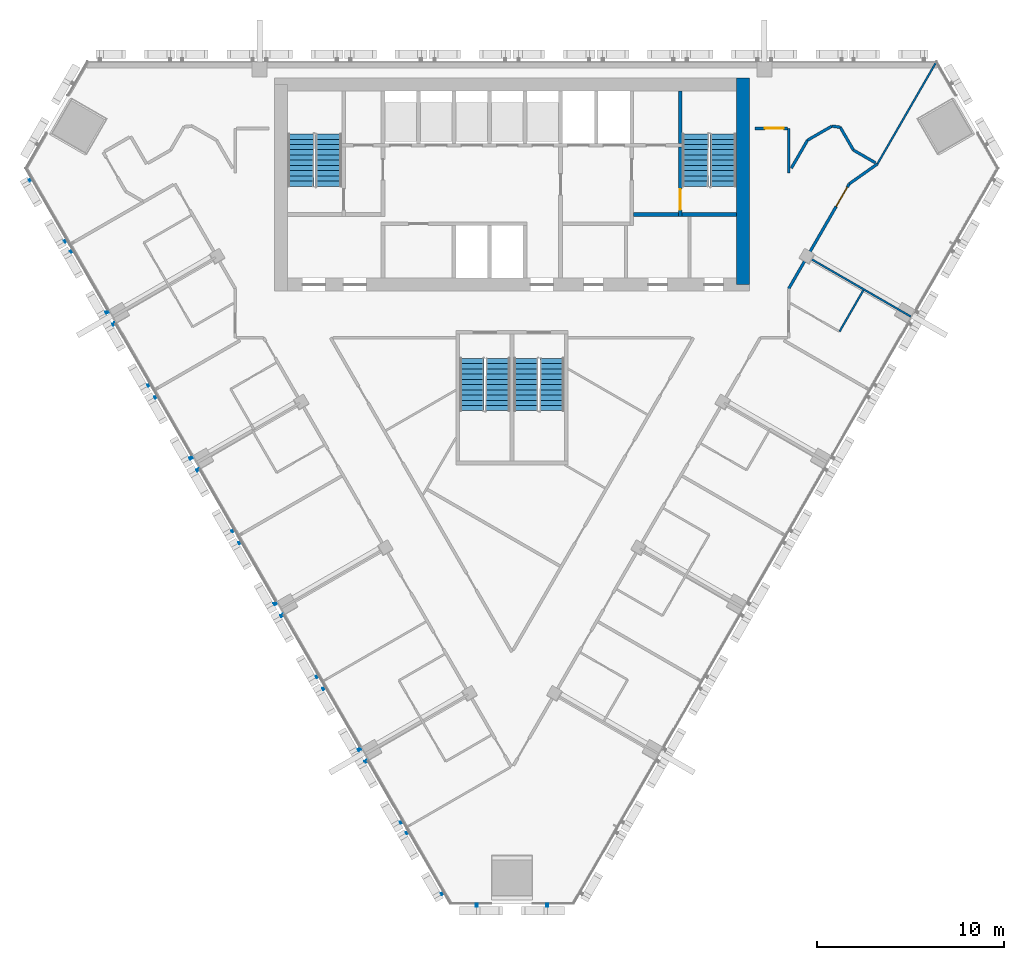
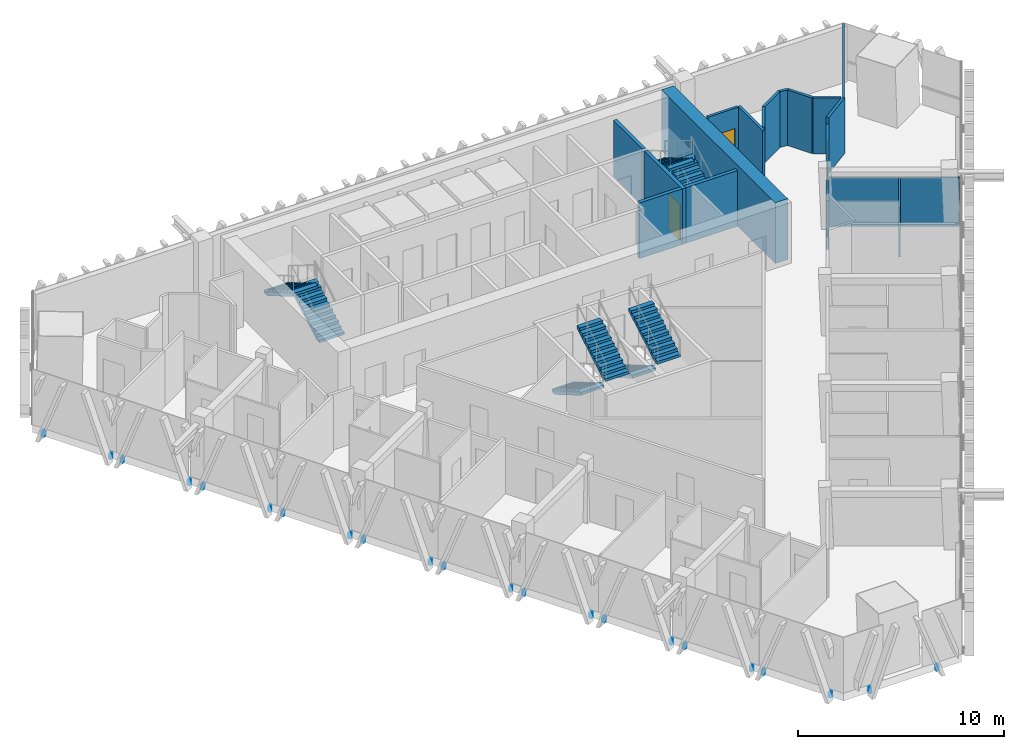
# One storey, part 11 of 15: 17 walls, 8 stair flights, 3 doors, 2 discrete accessories, 3 openings, 4 elements without a shape of their own.
"""IFC4 building model written with IfcOpenShell, lengths in metres."""

from ifc_helpers import new_model, si_unit, direction, frame, frame_2d, origin, place, context, subcontext, project, spatial, polyline, rectangle, outline, extrude, source, transform, mapped, material, layer, layer_set, type_object, element, fill, aggregate, save


model = new_model("IFC4")

# Units and contexts
model_context = context("Model", 3, precision=1e-05, world=origin(), true_north=direction((0.0, 1.0)))
body_context = subcontext(model_context, "Body", "Model", "MODEL_VIEW")
ifc_project = project(units=[si_unit("LENGTHUNIT", "METRE"), si_unit("AREAUNIT", "SQUARE_METRE"), si_unit("VOLUMEUNIT", "CUBIC_METRE"), si_unit("PLANEANGLEUNIT", "RADIAN"), si_unit("MASSUNIT", "GRAM", prefix="KILO")], contexts=[model_context])

# Site, building, storey
site_placement = place(None, origin())
site = spatial("IfcSite", under=ifc_project, at=site_placement, CompositionType="ELEMENT")
building_placement = place(site_placement, origin())
building = spatial("IfcBuilding", under=site, at=building_placement, Name="Altiplano Prism Tower", CompositionType="ELEMENT")
storey_placement = place(building_placement, frame((0.0, 0.0, 185.39990234375)))
storey = spatial("IfcBuildingStorey", under=building, at=storey_placement, Name="L48", CompositionType="ELEMENT", Elevation=185.39990234375)

# Walls
ifc_material_1 = material(Name="Concrete C60/75", Category="concrete")
ifc_layer_1 = layer(ifc_material_1, 0.699951171875)
ifc_layer_set_1 = layer_set([ifc_layer_1], Name="Concrete C60/75")
wall_type_1 = type_object("IfcWallType", Name="Core wall 700", PredefinedType="SHEAR", material=ifc_layer_set_1)
wall_1_placement = place(storey_placement, frame((97.35009765625, 93.050048828125, 0.0), z_axis=(0.0, 0.0, 1.0), x_axis=(0.0, 1.0, 0.0)))
element("IfcWall", 1, at=wall_1_placement, inside=storey, type_object=wall_type_1, Name="Core wall E L48", PredefinedType="SHEAR", context=body_context, shape_type="SweptSolid", body=[
    extrude(rectangle(XDim=11.050048828125, YDim=0.699951171875, at=frame_2d((5.52490234375, 0.0))), origin(), (0.0, 0.0, 1.0), 3.60009765625),
])
ifc_material_2 = material(Name="Plasterboard on steel stud", Category="steel")
ifc_layer_2 = layer(ifc_material_2, 0.10009765625)
ifc_layer_set_2 = layer_set([ifc_layer_2], Name="Plasterboard on steel stud")
wall_type_2 = type_object("IfcWallType", Name="Partition 100 unit", PredefinedType="PARTITIONING", material=ifc_layer_set_2)
wall_2_placement = place(storey_placement, frame((103.7939453125, 92.744140625, 0.0), z_axis=(0.0, 0.0, 1.0), x_axis=(-0.500020783669, -0.866013403995, 0.0)))
element("IfcWall", 2, at=wall_2_placement, inside=storey, type_object=wall_type_2, Name="Partition P02 L48 076", PredefinedType="PARTITIONING", context=body_context, shape_type="SweptSolid", body=[
    extrude(rectangle(XDim=2.55029296875, YDim=0.10009765625, at=frame_2d((1.275146484375, 0.0))), origin(), (0.0, 0.0, 1.0), 2.900146484375),
])
ifc_layer_3 = layer(ifc_material_2, 0.10009765625)
ifc_layer_set_3 = layer_set([ifc_layer_3], Name="Plasterboard on steel stud")
wall_type_3 = type_object("IfcWallType", Name="Partition 100 wet", PredefinedType="PARTITIONING", material=ifc_layer_set_3)
wall_3_placement = place(storey_placement, frame((106.330322265625, 91.33740234375, 0.0), z_axis=(0.0, 0.0, 1.0), x_axis=(-0.866032601554, 0.49998753289, 0.0)))
element("IfcWall", 3, at=wall_3_placement, inside=storey, type_object=wall_type_3, Name="Partition P03 L48 078", PredefinedType="PARTITIONING", context=body_context, shape_type="SweptSolid", body=[
    extrude(rectangle(XDim=6.324951171875, YDim=0.10009765625, at=frame_2d((3.16259765625, 0.0))), origin(), (0.0, 0.0, 1.0), 2.900146484375),
])
wall_4_placement = place(storey_placement, frame((107.662841796875, 104.89990234375, 0.0), z_axis=(0.0, 0.0, 1.0), x_axis=(-0.500004896655, -0.866022576681, 0.0)))
element("IfcWall", 4, at=wall_4_placement, inside=storey, type_object=wall_type_3, Name="Partition P03 L48 079", PredefinedType="PARTITIONING", context=body_context, shape_type="SweptSolid", body=[
    extrude(rectangle(XDim=6.2353515625, YDim=0.10009765625, at=frame_2d((3.11767578125, 0.0))), origin(), (0.0, 0.0, 1.0), 3.300048828125),
])

# Wall, opening, door
ifc_layer_4 = layer(ifc_material_2, 0.14990234375)
ifc_layer_set_4 = layer_set([ifc_layer_4], Name="Plasterboard on steel stud")
wall_type_4 = type_object("IfcWallType", Name="Partition 150 corridor", PredefinedType="PARTITIONING", material=ifc_layer_set_4)
wall_5_placement = place(storey_placement, frame((99.800048828125, 92.826416015625, 0.0), z_axis=(0.0, 0.0, 1.0), x_axis=(0.499991148707, 0.866030514021, 0.0)))
wall_5 = element("IfcWall", 5, at=wall_5_placement, inside=storey, type_object=wall_type_4, Name="Partition P06 L48 013", PredefinedType="PARTITIONING", context=body_context, shape_type="SweptSolid", body=[
    extrude(rectangle(XDim=6.4755859375, YDim=0.14990234375, at=frame_2d((3.23779296875, 0.0))), origin(), (0.0, 0.0, 1.0), 2.900146484375),
])
opening_1_placement = place(wall_5_placement, frame((5.075927734375, 0.0, 0.0)))
opening_1 = element("IfcOpeningElement", 6, at=opening_1_placement, cuts=wall_5, Name="Opening D1719", PredefinedType="OPENING", context=body_context, shape_type="SweptSolid", body=[
    extrude(rectangle(XDim=1.199951171875, YDim=2.10009765625, at=frame_2d((0.60009765625, 1.050048828125))), frame((0.0, 0.08544921875, 0.0), z_axis=(0.0, -1.0, 0.0), x_axis=(1.0, 0.0, 0.0)), (0.0, 0.0, 1.0), 0.1708984375),
])
ifc_material_3 = material(Name="Timber", Category="wood")
door_type_1 = type_object("IfcDoorType", Name="Shared room door 1200 x 2100", OperationType="NOTDEFINED", PredefinedType="NOTDEFINED", material=ifc_material_3)
door_1_placement = place(opening_1_placement, origin())
door_1 = element("IfcDoor", 7, at=door_1_placement, inside=storey, type_object=door_type_1, Name="Door D1719", OperationType="SINGLE_SWING_RIGHT", OverallHeight=2.10009765625, OverallWidth=1.199951171875, PredefinedType="NOTDEFINED", context=body_context, shape_type="SweptSolid", body=[
    extrude(rectangle(XDim=1.199951171875, YDim=2.10009765625, at=frame_2d((0.60009765625, 1.050048828125))), frame((0.0, 0.02490234375, 0.0), z_axis=(0.0, -1.0, 0.0), x_axis=(1.0, 0.0, 0.0)), (0.0, 0.0, 1.0), 0.050048828125),
])
fill(opening_1, door_1)

# Walls
wall_6_placement = place(storey_placement, frame((103.037841796875, 98.4345703125, 0.0), z_axis=(0.0, 0.0, 1.0), x_axis=(0.816601145289, 0.577202364438, 0.0)))
element("IfcWall", 8, at=wall_6_placement, inside=storey, type_object=wall_type_4, Name="Partition P06 L48 014", PredefinedType="PARTITIONING", context=body_context, shape_type="SweptSolid", body=[
    extrude(rectangle(XDim=1.845947265625, YDim=0.14990234375, at=frame_2d((0.9228515625, 0.0))), origin(), (0.0, 0.0, 1.0), 3.300048828125),
])
wall_7_placement = place(storey_placement, frame((104.44384765625, 99.55859375, 0.0), z_axis=(0.0, 0.0, 1.0), x_axis=(-0.866051307416, 0.49995513091, 0.0)))
element("IfcWall", 9, at=wall_7_placement, inside=storey, type_object=wall_type_4, Name="Partition P06 L48 015", PredefinedType="PARTITIONING", context=body_context, shape_type="SweptSolid", body=[
    extrude(rectangle(XDim=1.362548828125, YDim=0.14990234375, at=frame_2d((0.68115234375, 0.0))), origin(), (0.0, 0.0, 1.0), 3.300048828125),
])
wall_8_placement = place(storey_placement, frame((103.263916015625, 100.23974609375, 0.0), z_axis=(0.0, 0.0, 1.0), x_axis=(-0.499951990857, 0.866053120102, 0.0)))
element("IfcWall", 10, at=wall_8_placement, inside=storey, type_object=wall_type_4, Name="Partition P06 L48 016", PredefinedType="PARTITIONING", context=body_context, shape_type="SweptSolid", body=[
    extrude(rectangle(XDim=1.411865234375, YDim=0.14990234375, at=frame_2d((0.7060546875, 0.0))), origin(), (0.0, 0.0, 1.0), 3.300048828125),
])
wall_9_placement = place(storey_placement, frame((102.55810546875, 101.46240234375, 0.0), z_axis=(0.0, 0.0, 1.0), x_axis=(-0.991104626239, 0.133085009855, 0.0)))
element("IfcWall", 11, at=wall_9_placement, inside=storey, type_object=wall_type_4, Name="Partition P06 L48 017", PredefinedType="PARTITIONING", context=body_context, shape_type="SweptSolid", body=[
    extrude(rectangle(XDim=0.451171875, YDim=0.14990234375, at=frame_2d((0.2255859375, 0.0))), origin(), (0.0, 0.0, 1.0), 3.300048828125),
])
wall_10_placement = place(storey_placement, frame((102.11083984375, 101.5224609375, 0.0), z_axis=(0.0, 0.0, 1.0), x_axis=(-0.866010137527, -0.500026441001, 0.0)))
element("IfcWall", 12, at=wall_10_placement, inside=storey, type_object=wall_type_4, Name="Partition P06 L48 018", PredefinedType="PARTITIONING", context=body_context, shape_type="SweptSolid", body=[
    extrude(rectangle(XDim=1.50634765625, YDim=0.14990234375, at=frame_2d((0.753173828125, 0.0))), origin(), (0.0, 0.0, 1.0), 3.300048828125),
])
wall_11_placement = place(storey_placement, frame((100.806396484375, 100.769287109375, 0.0), z_axis=(0.0, 0.0, 1.0), x_axis=(-0.500063959222, -0.865988473761, 0.0)))
element("IfcWall", 13, at=wall_11_placement, inside=storey, type_object=wall_type_4, Name="Partition P06 L48 019", PredefinedType="PARTITIONING", context=body_context, shape_type="SweptSolid", body=[
    extrude(rectangle(XDim=1.732666015625, YDim=0.14990234375, at=frame_2d((0.8662109375, 0.0))), origin(), (0.0, 0.0, 1.0), 3.300048828125),
])
wall_12_placement = place(storey_placement, frame((99.800048828125, 99.0263671875, 0.0), z_axis=(0.0, 0.0, 1.0), x_axis=(0.0, 1.0, 0.0)))
element("IfcWall", 14, at=wall_12_placement, inside=storey, type_object=wall_type_4, Name="Partition P06 L48 020", PredefinedType="PARTITIONING", context=body_context, shape_type="SweptSolid", body=[
    extrude(rectangle(XDim=2.37353515625, YDim=0.14990234375, at=frame_2d((1.186767578125, 0.0))), origin(), (0.0, 0.0, 1.0), 3.300048828125),
])

# Wall, opening, door
wall_13_placement = place(storey_placement, frame((99.72509765625, 101.39990234375, 0.0), z_axis=(0.0, 0.0, 1.0), x_axis=(-1.0, 0.0, 0.0)))
wall_13 = element("IfcWall", 15, at=wall_13_placement, inside=storey, type_object=wall_type_4, Name="Partition P06 L48 021", PredefinedType="PARTITIONING", context=body_context, shape_type="SweptSolid", body=[
    extrude(rectangle(XDim=1.72509765625, YDim=0.14990234375, at=frame_2d((0.862548828125, 0.0))), origin(), (0.0, 0.0, 1.0), 3.300048828125),
])
opening_2_placement = place(wall_13_placement, frame((0.199951171875, 0.0, 0.0)))
opening_2 = element("IfcOpeningElement", 16, at=opening_2_placement, cuts=wall_13, Name="Opening D1720", PredefinedType="OPENING", context=body_context, shape_type="SweptSolid", body=[
    extrude(rectangle(XDim=1.0, YDim=2.10009765625, at=frame_2d((0.5, 1.050048828125))), frame((0.0, 0.08544921875, 0.0), z_axis=(0.0, -1.0, 0.0), x_axis=(1.0, 0.0, 0.0)), (0.0, 0.0, 1.0), 0.1708984375),
])
door_type_2 = type_object("IfcDoorType", Name="Store door 1000 x 2100", OperationType="NOTDEFINED", PredefinedType="NOTDEFINED", material=ifc_material_3)
door_2_placement = place(opening_2_placement, origin())
door_2 = element("IfcDoor", 17, at=door_2_placement, inside=storey, type_object=door_type_2, Name="Door D1720", OperationType="SINGLE_SWING_RIGHT", OverallHeight=2.10009765625, OverallWidth=1.0, PredefinedType="NOTDEFINED", context=body_context, shape_type="SweptSolid", body=[
    extrude(rectangle(XDim=1.0, YDim=2.10009765625, at=frame_2d((0.5, 1.050048828125))), frame((0.0, 0.02490234375, 0.0), z_axis=(0.0, -1.0, 0.0), x_axis=(1.0, 0.0, 0.0)), (0.0, 0.0, 1.0), 0.050048828125),
])
fill(opening_2, door_2)

ifc_layer_5 = layer(ifc_material_1, 0.199951171875)
ifc_layer_set_5 = layer_set([ifc_layer_5], Name="Concrete C60/75")
wall_type_5 = type_object("IfcWallType", Name="Stair wall 200", PredefinedType="SOLIDWALL", material=ifc_layer_set_5)
wall_14_placement = place(storey_placement, frame((94.0, 96.699951171875, 0.0), z_axis=(0.0, 0.0, 1.0), x_axis=(0.0, 1.0, 0.0)))
wall_14 = element("IfcWall", 18, at=wall_14_placement, inside=storey, type_object=wall_type_5, Name="Stair wall L48", PredefinedType="SOLIDWALL", context=body_context, shape_type="SweptSolid", body=[
    extrude(rectangle(XDim=3.699951171875, YDim=0.199951171875, at=frame_2d((1.85009765625, 0.0))), origin(), (0.0, 0.0, 1.0), 3.300048828125),
])
opening_3_placement = place(wall_14_placement, frame((0.35009765625, 0.0, 0.0)))
opening_3 = element("IfcOpeningElement", 19, at=opening_3_placement, cuts=wall_14, Name="Opening D3242", PredefinedType="OPENING", context=body_context, shape_type="SweptSolid", body=[
    extrude(rectangle(XDim=1.10009765625, YDim=2.10009765625, at=frame_2d((0.550048828125, 1.050048828125))), frame((0.0, 0.1103515625, 0.0), z_axis=(0.0, -1.0, 0.0), x_axis=(1.0, 0.0, 0.0)), (0.0, 0.0, 1.0), 0.220947265625),
])
ifc_material_4 = material(Name="Fire-rated steel door", Category="steel")
door_type_3 = type_object("IfcDoorType", Name="Stair fire door 1100 x 2100", OperationType="NOTDEFINED", PredefinedType="NOTDEFINED", material=ifc_material_4)
door_3_placement = place(opening_3_placement, origin())
door_3 = element("IfcDoor", 20, at=door_3_placement, inside=storey, type_object=door_type_3, Name="Stair fire door D3242", OperationType="SINGLE_SWING_LEFT", OverallHeight=2.10009765625, OverallWidth=1.10009765625, PredefinedType="NOTDEFINED", context=body_context, shape_type="SweptSolid", body=[
    extrude(rectangle(XDim=1.10009765625, YDim=2.10009765625, at=frame_2d((0.550048828125, 1.050048828125))), frame((0.0, 0.02490234375, 0.0), z_axis=(0.0, -1.0, 0.0), x_axis=(1.0, 0.0, 0.0)), (0.0, 0.0, 1.0), 0.050048828125),
])
fill(opening_3, door_3)

# Walls
wall_15_placement = place(storey_placement, frame((94.10009765625, 96.800048828125, 0.0), z_axis=(0.0, 0.0, 1.0), x_axis=(1.0, 0.0, 0.0)))
element("IfcWall", 21, at=wall_15_placement, inside=storey, type_object=wall_type_5, Name="Stair wall L48", PredefinedType="SOLIDWALL", context=body_context, shape_type="SweptSolid", body=[
    extrude(rectangle(XDim=2.89990234375, YDim=0.199951171875, at=frame_2d((1.449951171875, 0.0))), origin(), (0.0, 0.0, 1.0), 3.300048828125),
])
wall_16_placement = place(storey_placement, frame((94.0, 100.60009765625, 0.0), z_axis=(0.0, 0.0, 1.0), x_axis=(0.0, 1.0, 0.0)))
element("IfcWall", 22, at=wall_16_placement, inside=storey, type_object=wall_type_5, Name="Stair wall L48", PredefinedType="SOLIDWALL", context=body_context, shape_type="SweptSolid", body=[
    extrude(rectangle(XDim=2.7998046875, YDim=0.199951171875, at=frame_2d((1.39990234375, 0.0))), origin(), (0.0, 0.0, 1.0), 3.300048828125),
])
ifc_layer_6 = layer(ifc_material_1, 0.199951171875)
ifc_layer_set_6 = layer_set([ifc_layer_6], Name="Concrete C60/75")
wall_type_6 = type_object("IfcWallType", Name="Vestibule wall 200", PredefinedType="PARTITIONING", material=ifc_layer_set_6)
wall_17_placement = place(storey_placement, frame((91.5, 96.800048828125, 0.0), z_axis=(0.0, 0.0, 1.0), x_axis=(1.0, 0.0, 0.0)))
element("IfcWall", 23, at=wall_17_placement, inside=storey, type_object=wall_type_6, Name="Vestibule wall L48", PredefinedType="PARTITIONING", context=body_context, shape_type="SweptSolid", body=[
    extrude(rectangle(XDim=2.39990234375, YDim=0.199951171875, at=frame_2d((1.199951171875, 0.0))), origin(), (0.0, 0.0, 1.0), 3.300048828125),
])

# Stair, stair flights
ifc_material_5 = material(Name="Concrete C40/50", Category="concrete")
stair_type_1 = type_object("IfcStairType", Name="Exit stair 1400", PredefinedType="HALF_TURN_STAIR", material=ifc_material_5)
stair_1_placement = place(storey_placement, origin())
stair_1 = element("IfcStair", 24, at=stair_1_placement, inside=storey, type_object=stair_type_1, Name="L48 Exit Stair 1", PredefinedType="HALF_TURN_STAIR")
stair_flight_type = type_object("IfcStairFlightType", Name="Stair flight concrete 150", PredefinedType="STRAIGHT", material=ifc_material_5)
stair_flight_1_placement = place(storey_placement, frame((75.199951171875, 98.300048828125, 0.0), z_axis=(0.0, 0.0, 1.0), x_axis=(0.0, 1.0, 0.0)))
stair_flight_1 = element("IfcStairFlight", 25, at=stair_flight_1_placement, type_object=stair_flight_type, Name="ST1 flight 1", NumberOfRisers=11, NumberOfTreads=10, PredefinedType="STRAIGHT", RiserHeight=0.163636364, TreadLength=0.28, context=body_context, shape_type="SweptSolid", body=[
    extrude(outline(polyline([(0.0, 0.0), (0.0, 0.16357421875), (0.280029296875, 0.16357421875), (0.280029296875, 0.327392578125), (0.56005859375, 0.327392578125), (0.56005859375, 0.490966796875), (0.840087890625, 0.490966796875), (0.840087890625, 0.654541015625), (1.1201171875, 0.654541015625), (1.1201171875, 0.818115234375), (1.39990234375, 0.818115234375), (1.39990234375, 0.98193359375), (1.679931640625, 0.98193359375), (1.679931640625, 1.1455078125), (1.9599609375, 1.1455078125), (1.9599609375, 1.30908203125), (2.239990234375, 1.30908203125), (2.239990234375, 1.47265625), (2.52001953125, 1.47265625), (2.52001953125, 1.636474609375), (2.800048828125, 1.636474609375), (2.800048828125, 1.800048828125), (2.800048828125, 1.462646484375), (0.297119140625, 0.0), (0.0, 0.0)])), frame((0.0, 0.699951171875, 0.0), z_axis=(0.0, -1.0, 0.0), x_axis=(1.0, 0.0, 0.0)), (0.0, 0.0, 1.0), 1.39990234375),
])
stair_flight_2_placement = place(storey_placement, frame((73.699951171875, 101.10009765625, 1.800048828125), z_axis=(0.0, 0.0, 1.0), x_axis=(0.0, -1.0, 0.0)))
stair_flight_2 = element("IfcStairFlight", 26, at=stair_flight_2_placement, type_object=stair_flight_type, Name="ST1 flight 2", NumberOfRisers=11, NumberOfTreads=10, PredefinedType="STRAIGHT", RiserHeight=0.163636364, TreadLength=0.28, context=body_context, shape_type="SweptSolid", body=[
    extrude(outline(polyline([(0.0, 0.0), (0.0, 0.16357421875), (0.280029296875, 0.16357421875), (0.280029296875, 0.327392578125), (0.56005859375, 0.327392578125), (0.56005859375, 0.490966796875), (0.840087890625, 0.490966796875), (0.840087890625, 0.654541015625), (1.1201171875, 0.654541015625), (1.1201171875, 0.818115234375), (1.39990234375, 0.818115234375), (1.39990234375, 0.98193359375), (1.679931640625, 0.98193359375), (1.679931640625, 1.1455078125), (1.9599609375, 1.1455078125), (1.9599609375, 1.30908203125), (2.239990234375, 1.30908203125), (2.239990234375, 1.47265625), (2.52001953125, 1.47265625), (2.52001953125, 1.636474609375), (2.800048828125, 1.636474609375), (2.800048828125, 1.800048828125), (2.800048828125, 1.462646484375), (0.297119140625, 0.0), (0.0, 0.0)])), frame((0.0, 0.699951171875, 0.0), z_axis=(0.0, -1.0, 0.0), x_axis=(1.0, 0.0, 0.0)), (0.0, 0.0, 1.0), 1.39990234375),
])
aggregate(stair_1, [stair_flight_1, stair_flight_2])

stair_2_placement = place(storey_placement, origin())
stair_2 = element("IfcStair", 27, at=stair_2_placement, inside=storey, type_object=stair_type_1, Name="L48 Exit Stair 2", PredefinedType="HALF_TURN_STAIR")
stair_flight_3_placement = place(storey_placement, frame((96.300048828125, 98.300048828125, 0.0), z_axis=(0.0, 0.0, 1.0), x_axis=(0.0, 1.0, 0.0)))
stair_flight_3 = element("IfcStairFlight", 28, at=stair_flight_3_placement, type_object=stair_flight_type, Name="ST2 flight 1", NumberOfRisers=11, NumberOfTreads=10, PredefinedType="STRAIGHT", RiserHeight=0.163636364, TreadLength=0.28, context=body_context, shape_type="SweptSolid", body=[
    extrude(outline(polyline([(0.0, 0.0), (0.0, 0.16357421875), (0.280029296875, 0.16357421875), (0.280029296875, 0.327392578125), (0.56005859375, 0.327392578125), (0.56005859375, 0.490966796875), (0.840087890625, 0.490966796875), (0.840087890625, 0.654541015625), (1.1201171875, 0.654541015625), (1.1201171875, 0.818115234375), (1.39990234375, 0.818115234375), (1.39990234375, 0.98193359375), (1.679931640625, 0.98193359375), (1.679931640625, 1.1455078125), (1.9599609375, 1.1455078125), (1.9599609375, 1.30908203125), (2.239990234375, 1.30908203125), (2.239990234375, 1.47265625), (2.52001953125, 1.47265625), (2.52001953125, 1.636474609375), (2.800048828125, 1.636474609375), (2.800048828125, 1.800048828125), (2.800048828125, 1.462646484375), (0.297119140625, 0.0), (0.0, 0.0)])), frame((0.0, 0.699951171875, 0.0), z_axis=(0.0, -1.0, 0.0), x_axis=(1.0, 0.0, 0.0)), (0.0, 0.0, 1.0), 1.39990234375),
])
stair_flight_4_placement = place(storey_placement, frame((94.800048828125, 101.10009765625, 1.800048828125), z_axis=(0.0, 0.0, 1.0), x_axis=(0.0, -1.0, 0.0)))
stair_flight_4 = element("IfcStairFlight", 29, at=stair_flight_4_placement, type_object=stair_flight_type, Name="ST2 flight 2", NumberOfRisers=11, NumberOfTreads=10, PredefinedType="STRAIGHT", RiserHeight=0.163636364, TreadLength=0.28, context=body_context, shape_type="SweptSolid", body=[
    extrude(outline(polyline([(0.0, 0.0), (0.0, 0.16357421875), (0.280029296875, 0.16357421875), (0.280029296875, 0.327392578125), (0.56005859375, 0.327392578125), (0.56005859375, 0.490966796875), (0.840087890625, 0.490966796875), (0.840087890625, 0.654541015625), (1.1201171875, 0.654541015625), (1.1201171875, 0.818115234375), (1.39990234375, 0.818115234375), (1.39990234375, 0.98193359375), (1.679931640625, 0.98193359375), (1.679931640625, 1.1455078125), (1.9599609375, 1.1455078125), (1.9599609375, 1.30908203125), (2.239990234375, 1.30908203125), (2.239990234375, 1.47265625), (2.52001953125, 1.47265625), (2.52001953125, 1.636474609375), (2.800048828125, 1.636474609375), (2.800048828125, 1.800048828125), (2.800048828125, 1.462646484375), (0.297119140625, 0.0), (0.0, 0.0)])), frame((0.0, 0.699951171875, 0.0), z_axis=(0.0, -1.0, 0.0), x_axis=(1.0, 0.0, 0.0)), (0.0, 0.0, 1.0), 1.39990234375),
])
aggregate(stair_2, [stair_flight_3, stair_flight_4])

stair_type_2 = type_object("IfcStairType", Name="Exit stair 1300", PredefinedType="HALF_TURN_STAIR", material=ifc_material_5)
stair_3_placement = place(storey_placement, origin())
stair_3 = element("IfcStair", 30, at=stair_3_placement, inside=storey, type_object=stair_type_2, Name="L48 Exit Stair 3A", PredefinedType="HALF_TURN_STAIR")
stair_flight_5_placement = place(storey_placement, frame((82.85009765625, 89.10009765625, 0.0), z_axis=(0.0, 0.0, 1.0), x_axis=(0.0, -1.0, 0.0)))
stair_flight_5 = element("IfcStairFlight", 31, at=stair_flight_5_placement, type_object=stair_flight_type, Name="ST3A flight 1", NumberOfRisers=11, NumberOfTreads=10, PredefinedType="STRAIGHT", RiserHeight=0.163636364, TreadLength=0.28, context=body_context, shape_type="SweptSolid", body=[
    extrude(outline(polyline([(0.0, 0.0), (0.0, 0.16357421875), (0.280029296875, 0.16357421875), (0.280029296875, 0.327392578125), (0.56005859375, 0.327392578125), (0.56005859375, 0.490966796875), (0.840087890625, 0.490966796875), (0.840087890625, 0.654541015625), (1.1201171875, 0.654541015625), (1.1201171875, 0.818115234375), (1.39990234375, 0.818115234375), (1.39990234375, 0.98193359375), (1.679931640625, 0.98193359375), (1.679931640625, 1.1455078125), (1.9599609375, 1.1455078125), (1.9599609375, 1.30908203125), (2.239990234375, 1.30908203125), (2.239990234375, 1.47265625), (2.52001953125, 1.47265625), (2.52001953125, 1.636474609375), (2.800048828125, 1.636474609375), (2.800048828125, 1.800048828125), (2.800048828125, 1.462646484375), (0.297119140625, 0.0), (0.0, 0.0)])), frame((0.0, 0.64990234375, 0.0), z_axis=(0.0, -1.0, 0.0), x_axis=(1.0, 0.0, 0.0)), (0.0, 0.0, 1.0), 1.300048828125),
])
stair_flight_6_placement = place(storey_placement, frame((84.25, 86.300048828125, 1.800048828125), z_axis=(0.0, 0.0, 1.0), x_axis=(0.0, 1.0, 0.0)))
stair_flight_6 = element("IfcStairFlight", 32, at=stair_flight_6_placement, type_object=stair_flight_type, Name="ST3A flight 2", NumberOfRisers=11, NumberOfTreads=10, PredefinedType="STRAIGHT", RiserHeight=0.163636364, TreadLength=0.28, context=body_context, shape_type="SweptSolid", body=[
    extrude(outline(polyline([(0.0, 0.0), (0.0, 0.16357421875), (0.280029296875, 0.16357421875), (0.280029296875, 0.327392578125), (0.56005859375, 0.327392578125), (0.56005859375, 0.490966796875), (0.840087890625, 0.490966796875), (0.840087890625, 0.654541015625), (1.1201171875, 0.654541015625), (1.1201171875, 0.818115234375), (1.39990234375, 0.818115234375), (1.39990234375, 0.98193359375), (1.679931640625, 0.98193359375), (1.679931640625, 1.1455078125), (1.9599609375, 1.1455078125), (1.9599609375, 1.30908203125), (2.239990234375, 1.30908203125), (2.239990234375, 1.47265625), (2.52001953125, 1.47265625), (2.52001953125, 1.636474609375), (2.800048828125, 1.636474609375), (2.800048828125, 1.800048828125), (2.800048828125, 1.462646484375), (0.297119140625, 0.0), (0.0, 0.0)])), frame((0.0, 0.64990234375, 0.0), z_axis=(0.0, -1.0, 0.0), x_axis=(1.0, 0.0, 0.0)), (0.0, 0.0, 1.0), 1.300048828125),
])
aggregate(stair_3, [stair_flight_5, stair_flight_6])

stair_4_placement = place(storey_placement, origin())
stair_4 = element("IfcStair", 33, at=stair_4_placement, inside=storey, type_object=stair_type_2, Name="L48 Exit Stair 3B", PredefinedType="HALF_TURN_STAIR")
stair_flight_7_placement = place(storey_placement, frame((85.75, 89.10009765625, 0.0), z_axis=(0.0, 0.0, 1.0), x_axis=(0.0, -1.0, 0.0)))
stair_flight_7 = element("IfcStairFlight", 34, at=stair_flight_7_placement, type_object=stair_flight_type, Name="ST3B flight 1", NumberOfRisers=11, NumberOfTreads=10, PredefinedType="STRAIGHT", RiserHeight=0.163636364, TreadLength=0.28, context=body_context, shape_type="SweptSolid", body=[
    extrude(outline(polyline([(0.0, 0.0), (0.0, 0.16357421875), (0.280029296875, 0.16357421875), (0.280029296875, 0.327392578125), (0.56005859375, 0.327392578125), (0.56005859375, 0.490966796875), (0.840087890625, 0.490966796875), (0.840087890625, 0.654541015625), (1.1201171875, 0.654541015625), (1.1201171875, 0.818115234375), (1.39990234375, 0.818115234375), (1.39990234375, 0.98193359375), (1.679931640625, 0.98193359375), (1.679931640625, 1.1455078125), (1.9599609375, 1.1455078125), (1.9599609375, 1.30908203125), (2.239990234375, 1.30908203125), (2.239990234375, 1.47265625), (2.52001953125, 1.47265625), (2.52001953125, 1.636474609375), (2.800048828125, 1.636474609375), (2.800048828125, 1.800048828125), (2.800048828125, 1.462646484375), (0.297119140625, 0.0), (0.0, 0.0)])), frame((0.0, 0.64990234375, 0.0), z_axis=(0.0, -1.0, 0.0), x_axis=(1.0, 0.0, 0.0)), (0.0, 0.0, 1.0), 1.300048828125),
])
stair_flight_8_placement = place(storey_placement, frame((87.14990234375, 86.300048828125, 1.800048828125), z_axis=(0.0, 0.0, 1.0), x_axis=(0.0, 1.0, 0.0)))
stair_flight_8 = element("IfcStairFlight", 35, at=stair_flight_8_placement, type_object=stair_flight_type, Name="ST3B flight 2", NumberOfRisers=11, NumberOfTreads=10, PredefinedType="STRAIGHT", RiserHeight=0.163636364, TreadLength=0.28, context=body_context, shape_type="SweptSolid", body=[
    extrude(outline(polyline([(0.0, 0.0), (0.0, 0.16357421875), (0.280029296875, 0.16357421875), (0.280029296875, 0.327392578125), (0.56005859375, 0.327392578125), (0.56005859375, 0.490966796875), (0.840087890625, 0.490966796875), (0.840087890625, 0.654541015625), (1.1201171875, 0.654541015625), (1.1201171875, 0.818115234375), (1.39990234375, 0.818115234375), (1.39990234375, 0.98193359375), (1.679931640625, 0.98193359375), (1.679931640625, 1.1455078125), (1.9599609375, 1.1455078125), (1.9599609375, 1.30908203125), (2.239990234375, 1.30908203125), (2.239990234375, 1.47265625), (2.52001953125, 1.47265625), (2.52001953125, 1.636474609375), (2.800048828125, 1.636474609375), (2.800048828125, 1.800048828125), (2.800048828125, 1.462646484375), (0.297119140625, 0.0), (0.0, 0.0)])), frame((0.0, 0.64990234375, 0.0), z_axis=(0.0, -1.0, 0.0), x_axis=(1.0, 0.0, 0.0)), (0.0, 0.0, 1.0), 1.300048828125),
])
aggregate(stair_4, [stair_flight_7, stair_flight_8])

# Discrete accessories
ifc_material_6 = material(Name="Stainless steel", Category="steel")
discrete_accessory_type = type_object("IfcDiscreteAccessoryType", Name="Stone fin fixing prongs", PredefinedType="USERDEFINED", material=ifc_material_6)
shared_shape_1 = source(origin(), body_context, "Body", "SweptSolid", [
    extrude(outline(polyline([(-1.943115234375, 0.06005859375), (-1.822998046875, 0.06005859375), (-1.822998046875, 0.389892578125), (-1.943115234375, 0.389892578125), (-1.943115234375, 0.06005859375)])), frame((0.0, 0.0, 0.0), z_axis=(0.0, -1.0, 0.0), x_axis=(1.0, 0.0, 0.0)), (0.0, 0.0, 1.0), 0.14990234375),
    extrude(outline(polyline([(1.822998046875, 0.06005859375), (1.943115234375, 0.06005859375), (1.943115234375, 0.389892578125), (1.822998046875, 0.389892578125), (1.822998046875, 0.06005859375)])), frame((0.0, 0.0, 0.0), z_axis=(0.0, -1.0, 0.0), x_axis=(1.0, 0.0, 0.0)), (0.0, 0.0, 1.0), 0.14990234375),
])
shared_shape_2 = source(origin(), body_context, "Body", "SweptSolid", [
    extrude(outline(polyline([(-1.943115234375, 0.06005859375), (-1.822998046875, 0.06005859375), (-1.822998046875, 0.389892578125), (-1.943115234375, 0.389892578125), (-1.943115234375, 0.06005859375)])), frame((0.0, 0.0, 0.0), z_axis=(0.0, -1.0, 0.0), x_axis=(1.0, 0.0, 0.0)), (0.0, 0.0, 1.0), 0.14990234375),
    extrude(outline(polyline([(1.822998046875, 0.06005859375), (1.943115234375, 0.06005859375), (1.943115234375, 0.389892578125), (1.822998046875, 0.389892578125), (1.822998046875, 0.06005859375)])), frame((0.0, 0.0, 0.0), z_axis=(0.0, -1.0, 0.0), x_axis=(1.0, 0.0, 0.0)), (0.0, 0.0, 1.0), 0.14990234375),
])
discrete_accessory_1_placement = place(storey_placement, origin())
element("IfcDiscreteAccessory", 36, at=discrete_accessory_1_placement, inside=storey, type_object=discrete_accessory_type, Name="Fin fixings L48 south-west face", ObjectType="BRACKET", PredefinedType="USERDEFINED", context=body_context, shape_type="MappedRepresentation", body=[
    mapped(shared_shape_1, transform((60.2529296875, 97.055419921875, -0.449951171875), x_axis=(0.499999992925, -0.866025407869, 0.0), y_axis=(0.866025407869, 0.499999992925, 0.0), z_axis=(0.0, 0.0, 1.0))),
    mapped(shared_shape_2, transform((62.4580078125, 93.23583984375, -0.449951171875), x_axis=(0.499999992925, -0.866025407869, 0.0), y_axis=(0.866025407869, 0.499999992925, 0.0), z_axis=(0.0, 0.0, 1.0))),
    mapped(shared_shape_2, transform((64.7080078125, 89.3388671875, -0.449951171875), x_axis=(0.499999992925, -0.866025407869, 0.0), y_axis=(0.866025407869, 0.499999992925, 0.0), z_axis=(0.0, 0.0, 1.0))),
    mapped(shared_shape_2, transform((66.9580078125, 85.441650390625, -0.449951171875), x_axis=(0.499999992925, -0.866025407869, 0.0), y_axis=(0.866025407869, 0.499999992925, 0.0), z_axis=(0.0, 0.0, 1.0))),
    mapped(shared_shape_2, transform((69.2080078125, 81.544677734375, -0.449951171875), x_axis=(0.499999992925, -0.866025407869, 0.0), y_axis=(0.866025407869, 0.499999992925, 0.0), z_axis=(0.0, 0.0, 1.0))),
    mapped(shared_shape_2, transform((71.4580078125, 77.6474609375, -0.449951171875), x_axis=(0.499999992925, -0.866025407869, 0.0), y_axis=(0.866025407869, 0.499999992925, 0.0), z_axis=(0.0, 0.0, 1.0))),
    mapped(shared_shape_2, transform((73.7080078125, 73.750244140625, -0.449951171875), x_axis=(0.499999992925, -0.866025407869, 0.0), y_axis=(0.866025407869, 0.499999992925, 0.0), z_axis=(0.0, 0.0, 1.0))),
    mapped(shared_shape_2, transform((75.9580078125, 69.853271484375, -0.449951171875), x_axis=(0.499999992925, -0.866025407869, 0.0), y_axis=(0.866025407869, 0.499999992925, 0.0), z_axis=(0.0, 0.0, 1.0))),
    mapped(shared_shape_2, transform((78.2080078125, 65.9560546875, -0.449951171875), x_axis=(0.499999992925, -0.866025407869, 0.0), y_axis=(0.866025407869, 0.499999992925, 0.0), z_axis=(0.0, 0.0, 1.0))),
    mapped(shared_shape_1, transform((80.4130859375, 62.13671875, -0.449951171875), x_axis=(0.499999992925, -0.866025407869, 0.0), y_axis=(0.866025407869, 0.499999992925, 0.0), z_axis=(0.0, 0.0, 1.0))),
])
shared_shape_3 = source(origin(), body_context, "Body", "SweptSolid", [
    extrude(outline(polyline([(-1.943115234375, 0.06005859375), (-1.822998046875, 0.06005859375), (-1.822998046875, 0.389892578125), (-1.943115234375, 0.389892578125), (-1.943115234375, 0.06005859375)])), frame((0.0, 0.0, 0.0), z_axis=(0.0, -1.0, 0.0), x_axis=(1.0, 0.0, 0.0)), (0.0, 0.0, 1.0), 0.14990234375),
    extrude(outline(polyline([(1.822998046875, 0.06005859375), (1.943115234375, 0.06005859375), (1.943115234375, 0.389892578125), (1.822998046875, 0.389892578125), (1.822998046875, 0.06005859375)])), frame((0.0, 0.0, 0.0), z_axis=(0.0, -1.0, 0.0), x_axis=(1.0, 0.0, 0.0)), (0.0, 0.0, 1.0), 0.14990234375),
])
discrete_accessory_2_placement = place(storey_placement, origin())
element("IfcDiscreteAccessory", 37, at=discrete_accessory_2_placement, inside=storey, type_object=discrete_accessory_type, Name="Fin fixings L48 south chamfer", ObjectType="BRACKET", PredefinedType="USERDEFINED", context=body_context, shape_type="MappedRepresentation", body=[
    mapped(shared_shape_3, transform((85.0, 59.91943359375, -0.449951171875), x_axis=(1.0, 0.0, 0.0), y_axis=(0.0, 1.0, 0.0), z_axis=(0.0, 0.0, 1.0))),
])

save(model, "model.ifc")
